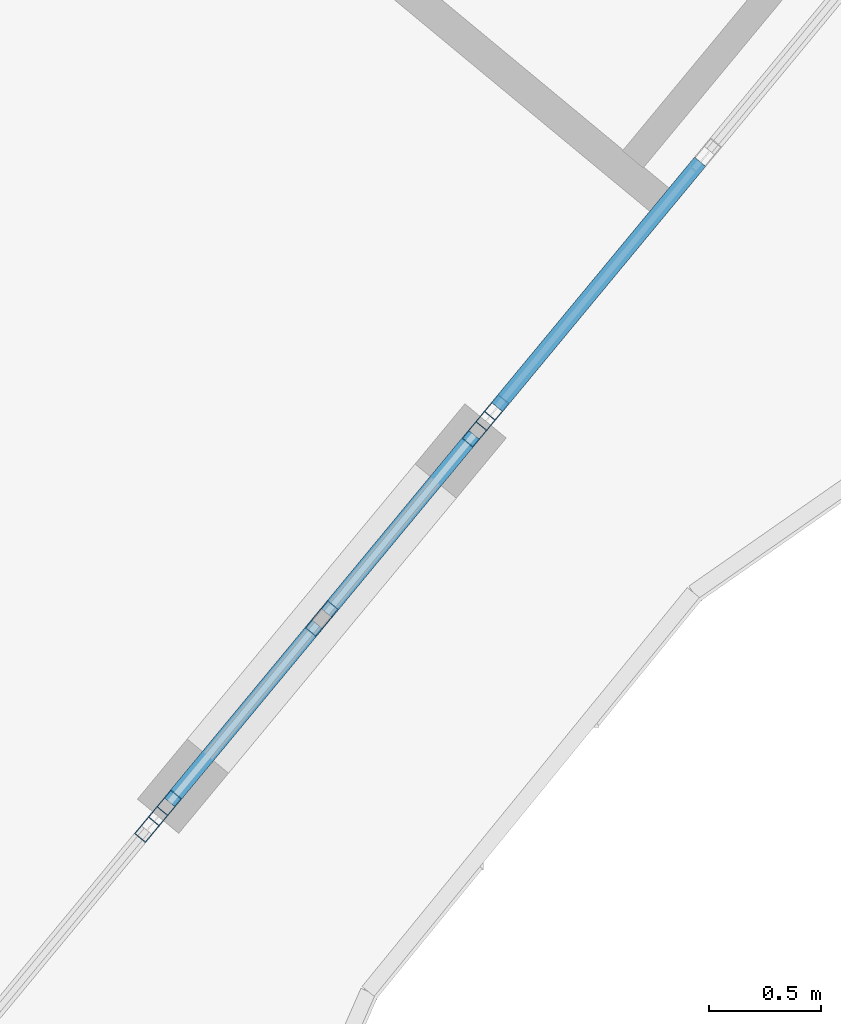
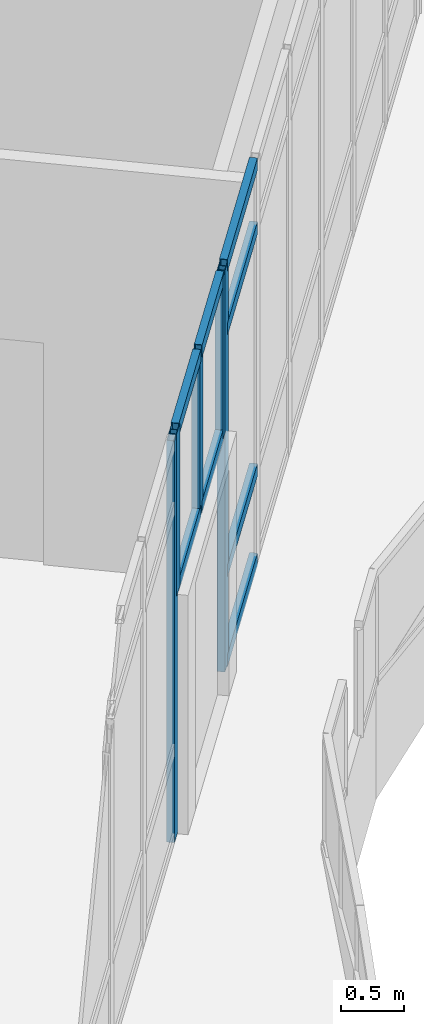
# One storey, part 126 of 184: 13 members, 3 elements without a shape of their own.
"""IFC4 building model written with IfcOpenShell, lengths in metres."""

from ifc_helpers import new_model, si_unit, direction, frame, origin, origin_2d, place, context, subcontext, project, spatial, hollow_rectangle, extrude, material, material_profile, profile_set, type_object, element, aggregate, save


model = new_model("IFC4")

# Units and contexts
model_context = context("Model", 3, precision=1e-05, world=origin(), true_north=direction((0.0, 1.0)))
body_context = subcontext(model_context, "Body", "Model", "MODEL_VIEW")
ifc_project = project(units=[si_unit("LENGTHUNIT", "METRE"), si_unit("AREAUNIT", "SQUARE_METRE"), si_unit("VOLUMEUNIT", "CUBIC_METRE"), si_unit("PLANEANGLEUNIT", "RADIAN"), si_unit("MASSUNIT", "GRAM", prefix="KILO")], contexts=[model_context])

# Site, building, storey
site_placement = place(None, origin())
site = spatial("IfcSite", under=ifc_project, at=site_placement, CompositionType="ELEMENT")
building_placement = place(site_placement, origin())
building = spatial("IfcBuilding", under=site, at=building_placement, Name="Selatvlak General Hospital", CompositionType="ELEMENT")
storey_placement = place(building_placement, frame((0.0, 0.0, 15.0)))
storey = spatial("IfcBuildingStorey", under=building, at=storey_placement, Name="L03", CompositionType="ELEMENT", Elevation=15.0)

# Curtain wall, members
ifc_material_1 = material(Name="Solar-control Low-E double glazing", Category="glass")
curtain_wall_type_1 = type_object("IfcCurtainWallType", Name="CW-CW-02", PredefinedType="USERDEFINED", material=ifc_material_1)
curtain_wall_1_placement = place(storey_placement, origin())
curtain_wall_1 = element("IfcCurtainWall", 1, at=curtain_wall_1_placement, inside=storey, type_object=curtain_wall_type_1, Name="Glazed facade curtain wall CW-L03-0393", ObjectType="UNITISED CURTAIN WALL", PredefinedType="USERDEFINED")
ifc_material_2 = material(Name="Dark anodised aluminium mullion", Category="aluminium")
ifc_material_profile_1 = material_profile(ifc_material_2, hollow_rectangle(XDim=0.06494140625, YDim=0.159912109375, WallThickness=0.00390625, at=origin_2d()), Name="AL-MUL 65x160x4")
ifc_profile_set_1 = profile_set([ifc_material_profile_1], Name="Dark anodised aluminium mullion")
member_type_1 = type_object("IfcMemberType", Name="CWM-01", PredefinedType="MULLION", material=ifc_profile_set_1)
member_1_placement = place(storey_placement, frame((172.88427734375, 52.804931640625, 2.320068359375), z_axis=(0.0, 0.0, 1.0), x_axis=(0.770132930655, -0.6378834291, 0.0)))
member_1 = element("IfcMember", 2, at=member_1_placement, type_object=member_type_1, Name="CW-02 mullion 1", PredefinedType="MULLION", context=body_context, shape_type="SweptSolid", body=[
    extrude(hollow_rectangle(XDim=0.06494140625, YDim=0.159912109375, WallThickness=0.00390625, at=origin_2d()), origin(), (0.0, 0.0, 1.0), 1.574951171875),
])
member_2_placement = place(storey_placement, frame((172.181396484375, 51.95654296875, 2.320068359375), z_axis=(0.0, 0.0, 1.0), x_axis=(0.770132930655, -0.6378834291, 0.0)))
member_2 = element("IfcMember", 3, at=member_2_placement, type_object=member_type_1, Name="CW-02 mullion 2", PredefinedType="MULLION", context=body_context, shape_type="SweptSolid", body=[
    extrude(hollow_rectangle(XDim=0.06494140625, YDim=0.159912109375, WallThickness=0.00390625, at=origin_2d()), origin(), (0.0, 0.0, 1.0), 1.574951171875),
])
member_3_placement = place(storey_placement, frame((171.478759765625, 51.10791015625, 2.320068359375), z_axis=(0.0, 0.0, 1.0), x_axis=(0.770132930655, -0.6378834291, 0.0)))
member_3 = element("IfcMember", 4, at=member_3_placement, type_object=member_type_1, Name="CW-02 mullion 3", PredefinedType="MULLION", context=body_context, shape_type="SweptSolid", body=[
    extrude(hollow_rectangle(XDim=0.06494140625, YDim=0.159912109375, WallThickness=0.00390625, at=origin_2d()), origin(), (0.0, 0.0, 1.0), 1.574951171875),
])

# Curtain wall, member
curtain_wall_type_2 = type_object("IfcCurtainWallType", Name="CW-CW-01", PredefinedType="USERDEFINED", material=ifc_material_1)
curtain_wall_2_placement = place(storey_placement, origin())
curtain_wall_2 = element("IfcCurtainWall", 5, at=curtain_wall_2_placement, inside=storey, type_object=curtain_wall_type_2, Name="Glazed facade curtain wall CW-L03-0394", ObjectType="UNITISED CURTAIN WALL", PredefinedType="USERDEFINED")
member_4_placement = place(storey_placement, frame((172.94580078125, 52.879150390625, 0.0), z_axis=(0.0, 0.0, 1.0), x_axis=(0.770251713592, -0.637739992245, 0.0)))
member_4 = element("IfcMember", 6, at=member_4_placement, type_object=member_type_1, Name="CW-01 mullion 7", PredefinedType="MULLION", context=body_context, shape_type="SweptSolid", body=[
    extrude(hollow_rectangle(XDim=0.06494140625, YDim=0.159912109375, WallThickness=0.00390625, at=origin_2d()), origin(), (0.0, 0.0, 1.0), 3.89501953125),
])

curtain_wall_3_placement = place(storey_placement, origin())
curtain_wall_3 = element("IfcCurtainWall", 7, at=curtain_wall_3_placement, inside=storey, type_object=curtain_wall_type_2, Name="Glazed facade curtain wall CW-L03-0395", ObjectType="UNITISED CURTAIN WALL", PredefinedType="USERDEFINED")
member_5_placement = place(storey_placement, frame((171.417236328125, 51.033935546875, 0.0), z_axis=(0.0, 0.0, 1.0), x_axis=(0.770267232802, -0.637721247938, 0.0)))
member_5 = element("IfcMember", 8, at=member_5_placement, type_object=member_type_1, Name="CW-01 mullion 1", PredefinedType="MULLION", context=body_context, shape_type="SweptSolid", body=[
    extrude(hollow_rectangle(XDim=0.06494140625, YDim=0.159912109375, WallThickness=0.00390625, at=origin_2d()), origin(), (0.0, 0.0, 1.0), 3.89501953125),
])
aggregate(curtain_wall_3, [member_5])

# Member
ifc_material_profile_2 = material_profile(ifc_material_2, hollow_rectangle(XDim=0.06494140625, YDim=0.1201171875, WallThickness=0.00390625, at=origin_2d()), Name="AL-TRN 65x120x4")
ifc_profile_set_2 = profile_set([ifc_material_profile_2], Name="Dark anodised aluminium mullion")
member_type_2 = type_object("IfcMemberType", Name="CWT-01", PredefinedType="USERDEFINED", material=ifc_profile_set_2)
member_6_placement = place(storey_placement, frame((172.863525390625, 52.780029296875, 2.3525390625), z_axis=(-0.637842341056, -0.770166961091, 0.0), x_axis=(0.770166961091, -0.637842341056, 0.0)))
member_6 = element("IfcMember", 9, at=member_6_placement, type_object=member_type_2, Name="CW-02 transom 1.1", ObjectType="TRANSOM", PredefinedType="USERDEFINED", context=body_context, shape_type="SweptSolid", body=[
    extrude(hollow_rectangle(XDim=0.06494140625, YDim=0.1201171875, WallThickness=0.00390625, at=origin_2d()), origin(), (0.0, 0.0, 1.0), 1.036865234375),
])

member_7_placement = place(storey_placement, frame((172.863525390625, 52.780029296875, 3.862548828125), z_axis=(-0.637842341056, -0.770166961091, 0.0), x_axis=(0.770166961091, -0.637842341056, 0.0)))
member_7 = element("IfcMember", 10, at=member_7_placement, type_object=member_type_2, Name="CW-02 transom 1.2", ObjectType="TRANSOM", PredefinedType="USERDEFINED", context=body_context, shape_type="SweptSolid", body=[
    extrude(hollow_rectangle(XDim=0.06494140625, YDim=0.1201171875, WallThickness=0.00390625, at=origin_2d()), origin(), (0.0, 0.0, 1.0), 1.036865234375),
])

member_8_placement = place(storey_placement, frame((172.160888671875, 51.931396484375, 2.3525390625), z_axis=(-0.637958019999, -0.770071142635, 0.0), x_axis=(0.770071142635, -0.637958019999, 0.0)))
member_8 = element("IfcMember", 11, at=member_8_placement, type_object=member_type_2, Name="CW-02 transom 2.1", ObjectType="TRANSOM", PredefinedType="USERDEFINED", context=body_context, shape_type="SweptSolid", body=[
    extrude(hollow_rectangle(XDim=0.06494140625, YDim=0.1201171875, WallThickness=0.00390625, at=origin_2d()), origin(), (0.0, 0.0, 1.0), 1.03662109375),
])

member_9_placement = place(storey_placement, frame((172.160888671875, 51.931396484375, 3.862548828125), z_axis=(-0.637958019999, -0.770071142635, 0.0), x_axis=(0.770071142635, -0.637958019999, 0.0)))
member_9 = element("IfcMember", 12, at=member_9_placement, type_object=member_type_2, Name="CW-02 transom 2.2", ObjectType="TRANSOM", PredefinedType="USERDEFINED", context=body_context, shape_type="SweptSolid", body=[
    extrude(hollow_rectangle(XDim=0.06494140625, YDim=0.1201171875, WallThickness=0.00390625, at=origin_2d()), origin(), (0.0, 0.0, 1.0), 1.03662109375),
])

aggregate(curtain_wall_1, [member_1, member_2, member_3, member_6, member_7, member_8, member_9])

member_10_placement = place(storey_placement, frame((173.87646484375, 54.003173828125, 0.032470703125), z_axis=(-0.637690265355, -0.770292882916, 0.0), x_axis=(0.770292882916, -0.637690265355, 0.0)))
member_10 = element("IfcMember", 13, at=member_10_placement, type_object=member_type_2, Name="CW-01 transom 6.1", ObjectType="TRANSOM", PredefinedType="USERDEFINED", context=body_context, shape_type="SweptSolid", body=[
    extrude(hollow_rectangle(XDim=0.06494140625, YDim=0.1201171875, WallThickness=0.00390625, at=origin_2d()), origin(), (0.0, 0.0, 1.0), 1.427001953125),
])

member_11_placement = place(storey_placement, frame((173.87646484375, 54.003173828125, 0.89990234375), z_axis=(-0.637690265355, -0.770292882916, 0.0), x_axis=(0.770292882916, -0.637690265355, 0.0)))
member_11 = element("IfcMember", 14, at=member_11_placement, type_object=member_type_2, Name="CW-01 transom 6.2", ObjectType="TRANSOM", PredefinedType="USERDEFINED", context=body_context, shape_type="SweptSolid", body=[
    extrude(hollow_rectangle(XDim=0.06494140625, YDim=0.1201171875, WallThickness=0.00390625, at=origin_2d()), origin(), (0.0, 0.0, 1.0), 1.427001953125),
])

member_12_placement = place(storey_placement, frame((173.87646484375, 54.003173828125, 3.2451171875), z_axis=(-0.637690265355, -0.770292882916, 0.0), x_axis=(0.770292882916, -0.637690265355, 0.0)))
member_12 = element("IfcMember", 15, at=member_12_placement, type_object=member_type_2, Name="CW-01 transom 6.3", ObjectType="TRANSOM", PredefinedType="USERDEFINED", context=body_context, shape_type="SweptSolid", body=[
    extrude(hollow_rectangle(XDim=0.06494140625, YDim=0.1201171875, WallThickness=0.00390625, at=origin_2d()), origin(), (0.0, 0.0, 1.0), 1.427001953125),
])

member_13_placement = place(storey_placement, frame((173.87646484375, 54.003173828125, 3.862548828125), z_axis=(-0.637690265355, -0.770292882916, 0.0), x_axis=(0.770292882916, -0.637690265355, 0.0)))
member_13 = element("IfcMember", 16, at=member_13_placement, type_object=member_type_2, Name="CW-01 transom 6.4", ObjectType="TRANSOM", PredefinedType="USERDEFINED", context=body_context, shape_type="SweptSolid", body=[
    extrude(hollow_rectangle(XDim=0.06494140625, YDim=0.1201171875, WallThickness=0.00390625, at=origin_2d()), origin(), (0.0, 0.0, 1.0), 1.427001953125),
])

aggregate(curtain_wall_2, [member_4, member_10, member_11, member_12, member_13])

save(model, "model.ifc")
